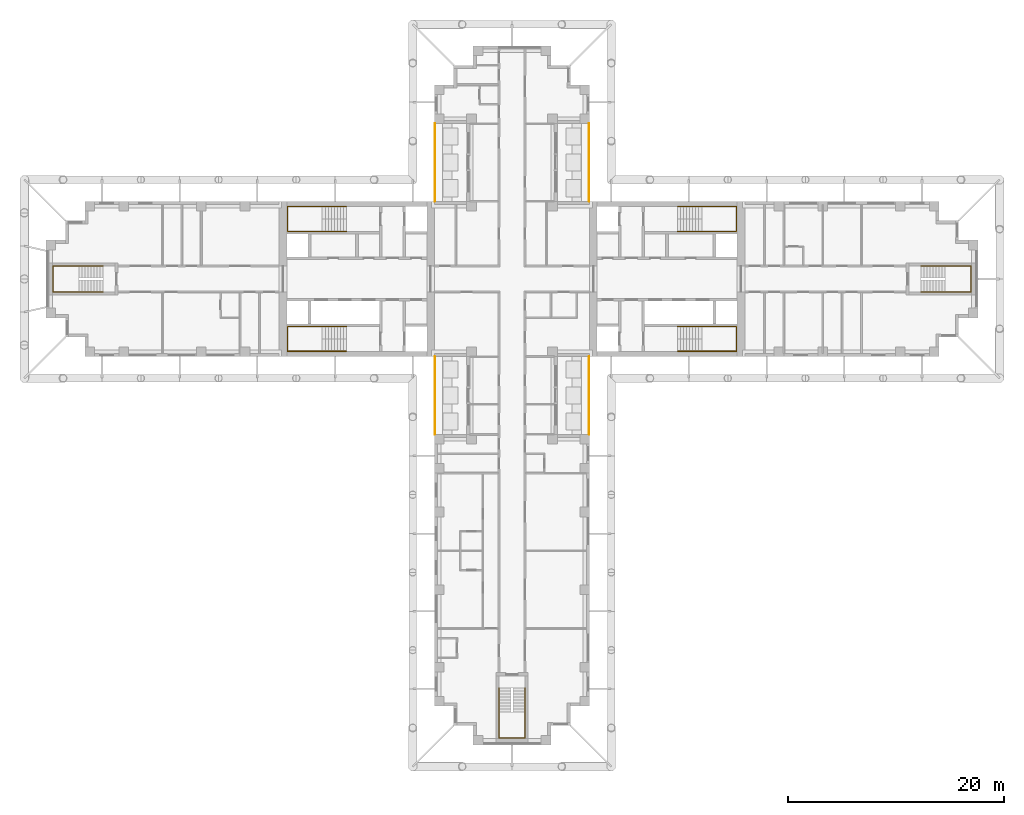
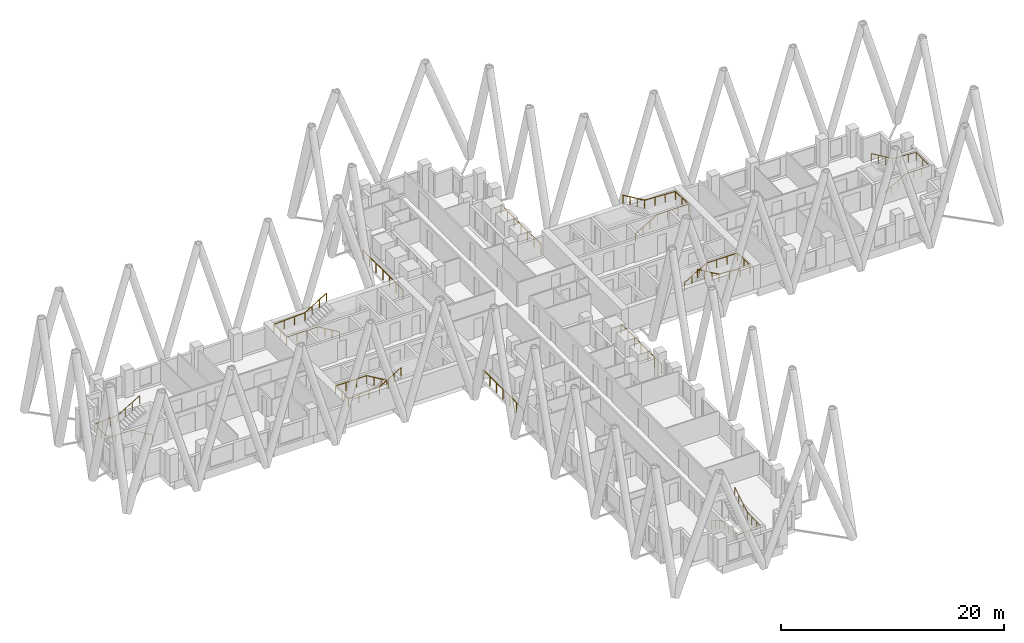
# One storey, part 13 of 14: 11 railings.
"""IFC4 building model written with IfcOpenShell, lengths in metres."""

from ifc_helpers import new_model, si_unit, direction, frame, origin, origin_2d, place, context, subcontext, project, spatial, circle, extrude, material, type_object, element, save


model = new_model("IFC4")

# Units and contexts
model_context = context("Model", 3, precision=1e-05, world=origin(), true_north=direction((0.0, 1.0)))
body_context = subcontext(model_context, "Body", "Model", "MODEL_VIEW")
ifc_project = project(units=[si_unit("LENGTHUNIT", "METRE"), si_unit("AREAUNIT", "SQUARE_METRE"), si_unit("VOLUMEUNIT", "CUBIC_METRE"), si_unit("PLANEANGLEUNIT", "RADIAN"), si_unit("MASSUNIT", "GRAM", prefix="KILO")], contexts=[model_context])

# Site, building, storey
site_placement = place(None, origin())
site = spatial("IfcSite", under=ifc_project, at=site_placement, CompositionType="ELEMENT")
building_placement = place(site_placement, origin())
building = spatial("IfcBuilding", under=site, at=building_placement, Name="Fustian Cross Tower", CompositionType="ELEMENT")
storey_placement = place(building_placement, frame((0.0, 0.0, 78.89990234375)))
storey = spatial("IfcBuildingStorey", under=building, at=storey_placement, Name="L24", CompositionType="ELEMENT", Elevation=78.89990234375)

# Railings
ifc_material_1 = material(Name="Stainless steel and glass", Category="steel")
railing_type_1 = type_object("IfcRailingType", Name="GR1 BALCONY GUARD 1100", PredefinedType="GUARDRAIL", material=ifc_material_1)
for number, where, name in (
    (1, (7.14990234375, 7.199951171875, 0.0), "Balcony guard"),
    (2, (-7.14990234375, 7.199951171875, 0.0), "Balcony guard"),
    (3, (7.14990234375, -14.39990234375, 0.0), "Balcony guard"),
    (4, (-7.14990234375, -14.39990234375, 0.0), "Balcony guard"),
):
    element("IfcRailing", number, at=place(storey_placement, frame(where)), inside=storey, type_object=railing_type_1, Name=name, PredefinedType="GUARDRAIL", context=body_context, shape_type="SweptSolid", body=[
        extrude(circle(Radius=0.02392578125, at=origin_2d()), frame((0.0, 0.0, 1.076171875), z_axis=(0.0, 1.0, 0.0), x_axis=(-1.0, 0.0, 0.0)), (0.0, 0.0, 1.0), 7.199951171875),
        extrude(circle(Radius=0.02099609375, at=origin_2d()), origin(), (0.0, 0.0, 1.0), 1.052001953125),
        extrude(circle(Radius=0.02099609375, at=origin_2d()), frame((0.0, 1.199951171875, 0.0)), (0.0, 0.0, 1.0), 1.052001953125),
        extrude(circle(Radius=0.02099609375, at=origin_2d()), frame((0.0, 2.39990234375, 0.0)), (0.0, 0.0, 1.0), 1.052001953125),
        extrude(circle(Radius=0.02099609375, at=origin_2d()), frame((0.0, 3.60009765625, 0.0)), (0.0, 0.0, 1.0), 1.052001953125),
        extrude(circle(Radius=0.02099609375, at=origin_2d()), frame((0.0, 4.800048828125, 0.0)), (0.0, 0.0, 1.0), 1.052001953125),
        extrude(circle(Radius=0.02099609375, at=origin_2d()), frame((0.0, 6.0, 0.0)), (0.0, 0.0, 1.0), 1.052001953125),
        extrude(circle(Radius=0.02099609375, at=origin_2d()), frame((0.0, 7.199951171875, 0.0)), (0.0, 0.0, 1.0), 1.052001953125),
    ])
ifc_material_2 = material(Name="Stainless steel", Category="steel")
railing_type_2 = type_object("IfcRailingType", Name="STAIR HANDRAIL", PredefinedType="HANDRAIL", material=ifc_material_2)
railing_1_placement = place(storey_placement, frame((15.35009765625, 4.39990234375, 0.166748046875)))
element("IfcRailing", 5, at=railing_1_placement, inside=storey, type_object=railing_type_2, Name="Stair ST1 handrail 1", PredefinedType="HANDRAIL", context=body_context, shape_type="SweptSolid", body=[
    extrude(circle(Radius=0.02490234375, at=origin_2d()), frame((0.0, 0.0, 0.875), z_axis=(0.859305625298, 0.0, 0.511462454469), x_axis=(0.0, 1.0, 0.0)), (0.0, 0.0, 1.0), 2.606689453125),
    extrude(circle(Radius=0.02490234375, at=origin_2d()), frame((2.239990234375, 0.0, 2.2080078125), z_axis=(1.0, 0.0, 0.0), x_axis=(0.0, 1.0, 0.0)), (0.0, 0.0, 1.0), 3.219970703125),
    extrude(circle(Radius=0.02490234375, at=origin_2d()), frame((5.4599609375, 0.0, 2.2080078125), z_axis=(0.0, 1.0, 0.0), x_axis=(-1.0, 0.0, 0.0)), (0.0, 0.0, 1.0), 2.300048828125),
    extrude(circle(Radius=0.02490234375, at=origin_2d()), frame((5.4599609375, 2.300048828125, 2.2080078125), z_axis=(-0.998661817807, 0.0, 0.051716280352), x_axis=(0.0, -1.0, 0.0)), (0.0, 0.0, 1.0), 3.224365234375),
    extrude(circle(Radius=0.02490234375, at=origin_2d()), frame((2.239990234375, 2.300048828125, 2.375), z_axis=(-0.859305625298, 0.0, 0.511462454469), x_axis=(0.0, -1.0, 0.0)), (0.0, 0.0, 1.0), 2.606689453125),
    extrude(circle(Radius=0.02001953125, at=origin_2d()), origin(), (0.0, 0.0, 1.0), 0.849853515625),
    extrude(circle(Radius=0.02001953125, at=origin_2d()), frame((0.74658203125, 0.0, 0.4443359375)), (0.0, 0.0, 1.0), 0.849853515625),
    extrude(circle(Radius=0.02001953125, at=origin_2d()), frame((1.493408203125, 0.0, 0.888916015625)), (0.0, 0.0, 1.0), 0.849853515625),
    extrude(circle(Radius=0.02001953125, at=origin_2d()), frame((2.239990234375, 0.0, 1.333251953125)), (0.0, 0.0, 1.0), 0.849853515625),
    extrude(circle(Radius=0.02001953125, at=origin_2d()), frame((3.313232421875, 0.0, 1.333251953125)), (0.0, 0.0, 1.0), 0.849853515625),
    extrude(circle(Radius=0.02001953125, at=origin_2d()), frame((4.38671875, 0.0, 1.333251953125)), (0.0, 0.0, 1.0), 0.849853515625),
    extrude(circle(Radius=0.02001953125, at=origin_2d()), frame((5.4599609375, 0.0, 1.333251953125)), (0.0, 0.0, 1.0), 0.849853515625),
    extrude(circle(Radius=0.02001953125, at=origin_2d()), frame((5.4599609375, 1.14990234375, 1.333251953125)), (0.0, 0.0, 1.0), 0.849853515625),
    extrude(circle(Radius=0.02001953125, at=origin_2d()), frame((5.4599609375, 2.300048828125, 1.333251953125)), (0.0, 0.0, 1.0), 0.849853515625),
    extrude(circle(Radius=0.02001953125, at=origin_2d()), frame((4.38671875, 2.300048828125, 1.388916015625)), (0.0, 0.0, 1.0), 0.849853515625),
    extrude(circle(Radius=0.02001953125, at=origin_2d()), frame((3.313232421875, 2.300048828125, 1.4443359375)), (0.0, 0.0, 1.0), 0.849853515625),
    extrude(circle(Radius=0.02001953125, at=origin_2d()), frame((2.239990234375, 2.300048828125, 1.5)), (0.0, 0.0, 1.0), 0.849853515625),
    extrude(circle(Radius=0.02001953125, at=origin_2d()), frame((1.493408203125, 2.300048828125, 1.9443359375)), (0.0, 0.0, 1.0), 0.849853515625),
    extrude(circle(Radius=0.02001953125, at=origin_2d()), frame((0.74658203125, 2.300048828125, 2.388916015625)), (0.0, 0.0, 1.0), 0.849853515625),
    extrude(circle(Radius=0.02001953125, at=origin_2d()), frame((0.0, 2.300048828125, 2.833251953125)), (0.0, 0.0, 1.0), 0.849853515625),
])
railing_2_placement = place(storey_placement, frame((15.35009765625, -4.39990234375, 0.166748046875)))
element("IfcRailing", 6, at=railing_2_placement, inside=storey, type_object=railing_type_2, Name="Stair ST2 handrail 1", PredefinedType="HANDRAIL", context=body_context, shape_type="SweptSolid", body=[
    extrude(circle(Radius=0.02490234375, at=origin_2d()), frame((0.0, 0.0, 0.875), z_axis=(0.859305625298, 0.0, 0.511462454469), x_axis=(0.0, 1.0, 0.0)), (0.0, 0.0, 1.0), 2.606689453125),
    extrude(circle(Radius=0.02490234375, at=origin_2d()), frame((2.239990234375, 0.0, 2.2080078125), z_axis=(1.0, 0.0, 0.0), x_axis=(0.0, 1.0, 0.0)), (0.0, 0.0, 1.0), 3.219970703125),
    extrude(circle(Radius=0.02490234375, at=origin_2d()), frame((5.4599609375, 0.0, 2.2080078125), z_axis=(0.0, -1.0, 0.0), x_axis=(1.0, 0.0, 0.0)), (0.0, 0.0, 1.0), 2.300048828125),
    extrude(circle(Radius=0.02490234375, at=origin_2d()), frame((5.4599609375, -2.300048828125, 2.2080078125), z_axis=(-0.998661817807, 0.0, 0.051716280352), x_axis=(0.0, -1.0, 0.0)), (0.0, 0.0, 1.0), 3.224365234375),
    extrude(circle(Radius=0.02490234375, at=origin_2d()), frame((2.239990234375, -2.300048828125, 2.375), z_axis=(-0.859305625298, 0.0, 0.511462454469), x_axis=(0.0, -1.0, 0.0)), (0.0, 0.0, 1.0), 2.606689453125),
    extrude(circle(Radius=0.02001953125, at=origin_2d()), origin(), (0.0, 0.0, 1.0), 0.849853515625),
    extrude(circle(Radius=0.02001953125, at=origin_2d()), frame((0.74658203125, 0.0, 0.4443359375)), (0.0, 0.0, 1.0), 0.849853515625),
    extrude(circle(Radius=0.02001953125, at=origin_2d()), frame((1.493408203125, 0.0, 0.888916015625)), (0.0, 0.0, 1.0), 0.849853515625),
    extrude(circle(Radius=0.02001953125, at=origin_2d()), frame((2.239990234375, 0.0, 1.333251953125)), (0.0, 0.0, 1.0), 0.849853515625),
    extrude(circle(Radius=0.02001953125, at=origin_2d()), frame((3.313232421875, 0.0, 1.333251953125)), (0.0, 0.0, 1.0), 0.849853515625),
    extrude(circle(Radius=0.02001953125, at=origin_2d()), frame((4.38671875, 0.0, 1.333251953125)), (0.0, 0.0, 1.0), 0.849853515625),
    extrude(circle(Radius=0.02001953125, at=origin_2d()), frame((5.4599609375, 0.0, 1.333251953125)), (0.0, 0.0, 1.0), 0.849853515625),
    extrude(circle(Radius=0.02001953125, at=origin_2d()), frame((5.4599609375, -1.14990234375, 1.333251953125)), (0.0, 0.0, 1.0), 0.849853515625),
    extrude(circle(Radius=0.02001953125, at=origin_2d()), frame((5.4599609375, -2.300048828125, 1.333251953125)), (0.0, 0.0, 1.0), 0.849853515625),
    extrude(circle(Radius=0.02001953125, at=origin_2d()), frame((4.38671875, -2.300048828125, 1.388916015625)), (0.0, 0.0, 1.0), 0.849853515625),
    extrude(circle(Radius=0.02001953125, at=origin_2d()), frame((3.313232421875, -2.300048828125, 1.4443359375)), (0.0, 0.0, 1.0), 0.849853515625),
    extrude(circle(Radius=0.02001953125, at=origin_2d()), frame((2.239990234375, -2.300048828125, 1.5)), (0.0, 0.0, 1.0), 0.849853515625),
    extrude(circle(Radius=0.02001953125, at=origin_2d()), frame((1.493408203125, -2.300048828125, 1.9443359375)), (0.0, 0.0, 1.0), 0.849853515625),
    extrude(circle(Radius=0.02001953125, at=origin_2d()), frame((0.74658203125, -2.300048828125, 2.388916015625)), (0.0, 0.0, 1.0), 0.849853515625),
    extrude(circle(Radius=0.02001953125, at=origin_2d()), frame((0.0, -2.300048828125, 2.833251953125)), (0.0, 0.0, 1.0), 0.849853515625),
])
railing_3_placement = place(storey_placement, frame((-15.35009765625, 4.39990234375, 0.166748046875)))
element("IfcRailing", 7, at=railing_3_placement, inside=storey, type_object=railing_type_2, Name="Stair ST3 handrail 1", PredefinedType="HANDRAIL", context=body_context, shape_type="SweptSolid", body=[
    extrude(circle(Radius=0.02490234375, at=origin_2d()), frame((0.0, 0.0, 0.875), z_axis=(-0.859305625298, 0.0, 0.511462454469), x_axis=(0.0, -1.0, 0.0)), (0.0, 0.0, 1.0), 2.606689453125),
    extrude(circle(Radius=0.02490234375, at=origin_2d()), frame((-2.239990234375, 0.0, 2.2080078125), z_axis=(-1.0, 0.0, 0.0), x_axis=(0.0, -1.0, 0.0)), (0.0, 0.0, 1.0), 3.219970703125),
    extrude(circle(Radius=0.02490234375, at=origin_2d()), frame((-5.4599609375, 0.0, 2.2080078125), z_axis=(0.0, 1.0, 0.0), x_axis=(-1.0, 0.0, 0.0)), (0.0, 0.0, 1.0), 2.300048828125),
    extrude(circle(Radius=0.02490234375, at=origin_2d()), frame((-5.4599609375, 2.300048828125, 2.2080078125), z_axis=(0.998661817807, 0.0, 0.051716280352), x_axis=(0.0, 1.0, 0.0)), (0.0, 0.0, 1.0), 3.224365234375),
    extrude(circle(Radius=0.02490234375, at=origin_2d()), frame((-2.239990234375, 2.300048828125, 2.375), z_axis=(0.859305625298, 0.0, 0.511462454469), x_axis=(0.0, 1.0, 0.0)), (0.0, 0.0, 1.0), 2.606689453125),
    extrude(circle(Radius=0.02001953125, at=origin_2d()), origin(), (0.0, 0.0, 1.0), 0.849853515625),
    extrude(circle(Radius=0.02001953125, at=origin_2d()), frame((-0.74658203125, 0.0, 0.4443359375)), (0.0, 0.0, 1.0), 0.849853515625),
    extrude(circle(Radius=0.02001953125, at=origin_2d()), frame((-1.493408203125, 0.0, 0.888916015625)), (0.0, 0.0, 1.0), 0.849853515625),
    extrude(circle(Radius=0.02001953125, at=origin_2d()), frame((-2.239990234375, 0.0, 1.333251953125)), (0.0, 0.0, 1.0), 0.849853515625),
    extrude(circle(Radius=0.02001953125, at=origin_2d()), frame((-3.313232421875, 0.0, 1.333251953125)), (0.0, 0.0, 1.0), 0.849853515625),
    extrude(circle(Radius=0.02001953125, at=origin_2d()), frame((-4.38671875, 0.0, 1.333251953125)), (0.0, 0.0, 1.0), 0.849853515625),
    extrude(circle(Radius=0.02001953125, at=origin_2d()), frame((-5.4599609375, 0.0, 1.333251953125)), (0.0, 0.0, 1.0), 0.849853515625),
    extrude(circle(Radius=0.02001953125, at=origin_2d()), frame((-5.4599609375, 1.14990234375, 1.333251953125)), (0.0, 0.0, 1.0), 0.849853515625),
    extrude(circle(Radius=0.02001953125, at=origin_2d()), frame((-5.4599609375, 2.300048828125, 1.333251953125)), (0.0, 0.0, 1.0), 0.849853515625),
    extrude(circle(Radius=0.02001953125, at=origin_2d()), frame((-4.38671875, 2.300048828125, 1.388916015625)), (0.0, 0.0, 1.0), 0.849853515625),
    extrude(circle(Radius=0.02001953125, at=origin_2d()), frame((-3.313232421875, 2.300048828125, 1.4443359375)), (0.0, 0.0, 1.0), 0.849853515625),
    extrude(circle(Radius=0.02001953125, at=origin_2d()), frame((-2.239990234375, 2.300048828125, 1.5)), (0.0, 0.0, 1.0), 0.849853515625),
    extrude(circle(Radius=0.02001953125, at=origin_2d()), frame((-1.493408203125, 2.300048828125, 1.9443359375)), (0.0, 0.0, 1.0), 0.849853515625),
    extrude(circle(Radius=0.02001953125, at=origin_2d()), frame((-0.74658203125, 2.300048828125, 2.388916015625)), (0.0, 0.0, 1.0), 0.849853515625),
    extrude(circle(Radius=0.02001953125, at=origin_2d()), frame((0.0, 2.300048828125, 2.833251953125)), (0.0, 0.0, 1.0), 0.849853515625),
])
railing_4_placement = place(storey_placement, frame((-15.35009765625, -4.39990234375, 0.166748046875)))
element("IfcRailing", 8, at=railing_4_placement, inside=storey, type_object=railing_type_2, Name="Stair ST4 handrail 1", PredefinedType="HANDRAIL", context=body_context, shape_type="SweptSolid", body=[
    extrude(circle(Radius=0.02490234375, at=origin_2d()), frame((0.0, 0.0, 0.875), z_axis=(-0.859305625298, 0.0, 0.511462454469), x_axis=(0.0, -1.0, 0.0)), (0.0, 0.0, 1.0), 2.606689453125),
    extrude(circle(Radius=0.02490234375, at=origin_2d()), frame((-2.239990234375, 0.0, 2.2080078125), z_axis=(-1.0, 0.0, 0.0), x_axis=(0.0, -1.0, 0.0)), (0.0, 0.0, 1.0), 3.219970703125),
    extrude(circle(Radius=0.02490234375, at=origin_2d()), frame((-5.4599609375, 0.0, 2.2080078125), z_axis=(0.0, -1.0, 0.0), x_axis=(1.0, 0.0, 0.0)), (0.0, 0.0, 1.0), 2.300048828125),
    extrude(circle(Radius=0.02490234375, at=origin_2d()), frame((-5.4599609375, -2.300048828125, 2.2080078125), z_axis=(0.998661817807, 0.0, 0.051716280352), x_axis=(0.0, 1.0, 0.0)), (0.0, 0.0, 1.0), 3.224365234375),
    extrude(circle(Radius=0.02490234375, at=origin_2d()), frame((-2.239990234375, -2.300048828125, 2.375), z_axis=(0.859305625298, 0.0, 0.511462454469), x_axis=(0.0, 1.0, 0.0)), (0.0, 0.0, 1.0), 2.606689453125),
    extrude(circle(Radius=0.02001953125, at=origin_2d()), origin(), (0.0, 0.0, 1.0), 0.849853515625),
    extrude(circle(Radius=0.02001953125, at=origin_2d()), frame((-0.74658203125, 0.0, 0.4443359375)), (0.0, 0.0, 1.0), 0.849853515625),
    extrude(circle(Radius=0.02001953125, at=origin_2d()), frame((-1.493408203125, 0.0, 0.888916015625)), (0.0, 0.0, 1.0), 0.849853515625),
    extrude(circle(Radius=0.02001953125, at=origin_2d()), frame((-2.239990234375, 0.0, 1.333251953125)), (0.0, 0.0, 1.0), 0.849853515625),
    extrude(circle(Radius=0.02001953125, at=origin_2d()), frame((-3.313232421875, 0.0, 1.333251953125)), (0.0, 0.0, 1.0), 0.849853515625),
    extrude(circle(Radius=0.02001953125, at=origin_2d()), frame((-4.38671875, 0.0, 1.333251953125)), (0.0, 0.0, 1.0), 0.849853515625),
    extrude(circle(Radius=0.02001953125, at=origin_2d()), frame((-5.4599609375, 0.0, 1.333251953125)), (0.0, 0.0, 1.0), 0.849853515625),
    extrude(circle(Radius=0.02001953125, at=origin_2d()), frame((-5.4599609375, -1.14990234375, 1.333251953125)), (0.0, 0.0, 1.0), 0.849853515625),
    extrude(circle(Radius=0.02001953125, at=origin_2d()), frame((-5.4599609375, -2.300048828125, 1.333251953125)), (0.0, 0.0, 1.0), 0.849853515625),
    extrude(circle(Radius=0.02001953125, at=origin_2d()), frame((-4.38671875, -2.300048828125, 1.388916015625)), (0.0, 0.0, 1.0), 0.849853515625),
    extrude(circle(Radius=0.02001953125, at=origin_2d()), frame((-3.313232421875, -2.300048828125, 1.4443359375)), (0.0, 0.0, 1.0), 0.849853515625),
    extrude(circle(Radius=0.02001953125, at=origin_2d()), frame((-2.239990234375, -2.300048828125, 1.5)), (0.0, 0.0, 1.0), 0.849853515625),
    extrude(circle(Radius=0.02001953125, at=origin_2d()), frame((-1.493408203125, -2.300048828125, 1.9443359375)), (0.0, 0.0, 1.0), 0.849853515625),
    extrude(circle(Radius=0.02001953125, at=origin_2d()), frame((-0.74658203125, -2.300048828125, 2.388916015625)), (0.0, 0.0, 1.0), 0.849853515625),
    extrude(circle(Radius=0.02001953125, at=origin_2d()), frame((0.0, -2.300048828125, 2.833251953125)), (0.0, 0.0, 1.0), 0.849853515625),
])
railing_5_placement = place(storey_placement, frame((-1.199951171875, -37.89990234375, 0.166748046875)))
element("IfcRailing", 9, at=railing_5_placement, inside=storey, type_object=railing_type_2, Name="Stair ST6 handrail 1", PredefinedType="HANDRAIL", context=body_context, shape_type="SweptSolid", body=[
    extrude(circle(Radius=0.02490234375, at=origin_2d()), frame((0.0, 0.0, 0.875), z_axis=(0.0, -0.859305625298, 0.511462454469), x_axis=(1.0, 0.0, 0.0)), (0.0, 0.0, 1.0), 2.606689453125),
    extrude(circle(Radius=0.02490234375, at=origin_2d()), frame((0.0, -2.239990234375, 2.2080078125), z_axis=(0.0, -1.0, 0.0), x_axis=(1.0, 0.0, 0.0)), (0.0, 0.0, 1.0), 2.420166015625),
    extrude(circle(Radius=0.02490234375, at=origin_2d()), frame((0.0, -4.66015625, 2.2080078125), z_axis=(1.0, 0.0, 0.0), x_axis=(0.0, 1.0, 0.0)), (0.0, 0.0, 1.0), 2.39990234375),
    extrude(circle(Radius=0.02490234375, at=origin_2d()), frame((2.39990234375, -4.66015625, 2.2080078125), z_axis=(0.0, 0.997634852044, 0.068736467663), x_axis=(-1.0, 0.0, 0.0)), (0.0, 0.0, 1.0), 2.426025390625),
    extrude(circle(Radius=0.02490234375, at=origin_2d()), frame((2.39990234375, -2.239990234375, 2.375), z_axis=(0.0, 0.859305625298, 0.511462454469), x_axis=(-1.0, 0.0, 0.0)), (0.0, 0.0, 1.0), 2.606689453125),
    extrude(circle(Radius=0.02001953125, at=origin_2d()), origin(), (0.0, 0.0, 1.0), 0.849853515625),
    extrude(circle(Radius=0.02001953125, at=origin_2d()), frame((0.0, -0.74658203125, 0.4443359375)), (0.0, 0.0, 1.0), 0.849853515625),
    extrude(circle(Radius=0.02001953125, at=origin_2d()), frame((0.0, -1.493408203125, 0.888916015625)), (0.0, 0.0, 1.0), 0.849853515625),
    extrude(circle(Radius=0.02001953125, at=origin_2d()), frame((0.0, -2.239990234375, 1.333251953125)), (0.0, 0.0, 1.0), 0.849853515625),
    extrude(circle(Radius=0.02001953125, at=origin_2d()), frame((0.0, -3.046630859375, 1.333251953125)), (0.0, 0.0, 1.0), 0.849853515625),
    extrude(circle(Radius=0.02001953125, at=origin_2d()), frame((0.0, -3.853515625, 1.333251953125)), (0.0, 0.0, 1.0), 0.849853515625),
    extrude(circle(Radius=0.02001953125, at=origin_2d()), frame((0.0, -4.66015625, 1.333251953125)), (0.0, 0.0, 1.0), 0.849853515625),
    extrude(circle(Radius=0.02001953125, at=origin_2d()), frame((1.199951171875, -4.66015625, 1.333251953125)), (0.0, 0.0, 1.0), 0.849853515625),
    extrude(circle(Radius=0.02001953125, at=origin_2d()), frame((2.39990234375, -4.66015625, 1.333251953125)), (0.0, 0.0, 1.0), 0.849853515625),
    extrude(circle(Radius=0.02001953125, at=origin_2d()), frame((2.39990234375, -3.853515625, 1.388916015625)), (0.0, 0.0, 1.0), 0.849853515625),
    extrude(circle(Radius=0.02001953125, at=origin_2d()), frame((2.39990234375, -3.046630859375, 1.4443359375)), (0.0, 0.0, 1.0), 0.849853515625),
    extrude(circle(Radius=0.02001953125, at=origin_2d()), frame((2.39990234375, -2.239990234375, 1.5)), (0.0, 0.0, 1.0), 0.849853515625),
    extrude(circle(Radius=0.02001953125, at=origin_2d()), frame((2.39990234375, -1.493408203125, 1.9443359375)), (0.0, 0.0, 1.0), 0.849853515625),
    extrude(circle(Radius=0.02001953125, at=origin_2d()), frame((2.39990234375, -0.74658203125, 2.388916015625)), (0.0, 0.0, 1.0), 0.849853515625),
    extrude(circle(Radius=0.02001953125, at=origin_2d()), frame((2.39990234375, 0.0, 2.833251953125)), (0.0, 0.0, 1.0), 0.849853515625),
])
railing_6_placement = place(storey_placement, frame((37.89990234375, -1.199951171875, 0.166748046875)))
element("IfcRailing", 10, at=railing_6_placement, inside=storey, type_object=railing_type_2, Name="Stair ST8 handrail 1", PredefinedType="HANDRAIL", context=body_context, shape_type="SweptSolid", body=[
    extrude(circle(Radius=0.02490234375, at=origin_2d()), frame((0.0, 0.0, 0.875), z_axis=(0.859305625298, 0.0, 0.511462454469), x_axis=(0.0, 1.0, 0.0)), (0.0, 0.0, 1.0), 2.606689453125),
    extrude(circle(Radius=0.02490234375, at=origin_2d()), frame((2.239990234375, 0.0, 2.2080078125), z_axis=(1.0, 0.0, 0.0), x_axis=(0.0, 1.0, 0.0)), (0.0, 0.0, 1.0), 2.420166015625),
    extrude(circle(Radius=0.02490234375, at=origin_2d()), frame((4.66015625, 0.0, 2.2080078125), z_axis=(0.0, 1.0, 0.0), x_axis=(-1.0, 0.0, 0.0)), (0.0, 0.0, 1.0), 2.39990234375),
    extrude(circle(Radius=0.02490234375, at=origin_2d()), frame((4.66015625, 2.39990234375, 2.2080078125), z_axis=(-0.997634852044, 0.0, 0.068736467663), x_axis=(0.0, -1.0, 0.0)), (0.0, 0.0, 1.0), 2.426025390625),
    extrude(circle(Radius=0.02490234375, at=origin_2d()), frame((2.239990234375, 2.39990234375, 2.375), z_axis=(-0.859305625298, 0.0, 0.511462454469), x_axis=(0.0, -1.0, 0.0)), (0.0, 0.0, 1.0), 2.606689453125),
    extrude(circle(Radius=0.02001953125, at=origin_2d()), origin(), (0.0, 0.0, 1.0), 0.849853515625),
    extrude(circle(Radius=0.02001953125, at=origin_2d()), frame((0.74658203125, 0.0, 0.4443359375)), (0.0, 0.0, 1.0), 0.849853515625),
    extrude(circle(Radius=0.02001953125, at=origin_2d()), frame((1.493408203125, 0.0, 0.888916015625)), (0.0, 0.0, 1.0), 0.849853515625),
    extrude(circle(Radius=0.02001953125, at=origin_2d()), frame((2.239990234375, 0.0, 1.333251953125)), (0.0, 0.0, 1.0), 0.849853515625),
    extrude(circle(Radius=0.02001953125, at=origin_2d()), frame((3.046630859375, 0.0, 1.333251953125)), (0.0, 0.0, 1.0), 0.849853515625),
    extrude(circle(Radius=0.02001953125, at=origin_2d()), frame((3.853515625, 0.0, 1.333251953125)), (0.0, 0.0, 1.0), 0.849853515625),
    extrude(circle(Radius=0.02001953125, at=origin_2d()), frame((4.66015625, 0.0, 1.333251953125)), (0.0, 0.0, 1.0), 0.849853515625),
    extrude(circle(Radius=0.02001953125, at=origin_2d()), frame((4.66015625, 1.199951171875, 1.333251953125)), (0.0, 0.0, 1.0), 0.849853515625),
    extrude(circle(Radius=0.02001953125, at=origin_2d()), frame((4.66015625, 2.39990234375, 1.333251953125)), (0.0, 0.0, 1.0), 0.849853515625),
    extrude(circle(Radius=0.02001953125, at=origin_2d()), frame((3.853515625, 2.39990234375, 1.388916015625)), (0.0, 0.0, 1.0), 0.849853515625),
    extrude(circle(Radius=0.02001953125, at=origin_2d()), frame((3.046630859375, 2.39990234375, 1.4443359375)), (0.0, 0.0, 1.0), 0.849853515625),
    extrude(circle(Radius=0.02001953125, at=origin_2d()), frame((2.239990234375, 2.39990234375, 1.5)), (0.0, 0.0, 1.0), 0.849853515625),
    extrude(circle(Radius=0.02001953125, at=origin_2d()), frame((1.493408203125, 2.39990234375, 1.9443359375)), (0.0, 0.0, 1.0), 0.849853515625),
    extrude(circle(Radius=0.02001953125, at=origin_2d()), frame((0.74658203125, 2.39990234375, 2.388916015625)), (0.0, 0.0, 1.0), 0.849853515625),
    extrude(circle(Radius=0.02001953125, at=origin_2d()), frame((0.0, 2.39990234375, 2.833251953125)), (0.0, 0.0, 1.0), 0.849853515625),
])
railing_7_placement = place(storey_placement, frame((-37.89990234375, -1.199951171875, 0.166748046875)))
element("IfcRailing", 11, at=railing_7_placement, inside=storey, type_object=railing_type_2, Name="Stair ST9 handrail 1", PredefinedType="HANDRAIL", context=body_context, shape_type="SweptSolid", body=[
    extrude(circle(Radius=0.02490234375, at=origin_2d()), frame((0.0, 0.0, 0.875), z_axis=(-0.859305625298, 0.0, 0.511462454469), x_axis=(0.0, -1.0, 0.0)), (0.0, 0.0, 1.0), 2.606689453125),
    extrude(circle(Radius=0.02490234375, at=origin_2d()), frame((-2.239990234375, 0.0, 2.2080078125), z_axis=(-1.0, 0.0, 0.0), x_axis=(0.0, -1.0, 0.0)), (0.0, 0.0, 1.0), 2.420166015625),
    extrude(circle(Radius=0.02490234375, at=origin_2d()), frame((-4.66015625, 0.0, 2.2080078125), z_axis=(0.0, 1.0, 0.0), x_axis=(-1.0, 0.0, 0.0)), (0.0, 0.0, 1.0), 2.39990234375),
    extrude(circle(Radius=0.02490234375, at=origin_2d()), frame((-4.66015625, 2.39990234375, 2.2080078125), z_axis=(0.997634852044, 0.0, 0.068736467663), x_axis=(0.0, 1.0, 0.0)), (0.0, 0.0, 1.0), 2.426025390625),
    extrude(circle(Radius=0.02490234375, at=origin_2d()), frame((-2.239990234375, 2.39990234375, 2.375), z_axis=(0.859305625298, 0.0, 0.511462454469), x_axis=(0.0, 1.0, 0.0)), (0.0, 0.0, 1.0), 2.606689453125),
    extrude(circle(Radius=0.02001953125, at=origin_2d()), origin(), (0.0, 0.0, 1.0), 0.849853515625),
    extrude(circle(Radius=0.02001953125, at=origin_2d()), frame((-0.74658203125, 0.0, 0.4443359375)), (0.0, 0.0, 1.0), 0.849853515625),
    extrude(circle(Radius=0.02001953125, at=origin_2d()), frame((-1.493408203125, 0.0, 0.888916015625)), (0.0, 0.0, 1.0), 0.849853515625),
    extrude(circle(Radius=0.02001953125, at=origin_2d()), frame((-2.239990234375, 0.0, 1.333251953125)), (0.0, 0.0, 1.0), 0.849853515625),
    extrude(circle(Radius=0.02001953125, at=origin_2d()), frame((-3.046630859375, 0.0, 1.333251953125)), (0.0, 0.0, 1.0), 0.849853515625),
    extrude(circle(Radius=0.02001953125, at=origin_2d()), frame((-3.853515625, 0.0, 1.333251953125)), (0.0, 0.0, 1.0), 0.849853515625),
    extrude(circle(Radius=0.02001953125, at=origin_2d()), frame((-4.66015625, 0.0, 1.333251953125)), (0.0, 0.0, 1.0), 0.849853515625),
    extrude(circle(Radius=0.02001953125, at=origin_2d()), frame((-4.66015625, 1.199951171875, 1.333251953125)), (0.0, 0.0, 1.0), 0.849853515625),
    extrude(circle(Radius=0.02001953125, at=origin_2d()), frame((-4.66015625, 2.39990234375, 1.333251953125)), (0.0, 0.0, 1.0), 0.849853515625),
    extrude(circle(Radius=0.02001953125, at=origin_2d()), frame((-3.853515625, 2.39990234375, 1.388916015625)), (0.0, 0.0, 1.0), 0.849853515625),
    extrude(circle(Radius=0.02001953125, at=origin_2d()), frame((-3.046630859375, 2.39990234375, 1.4443359375)), (0.0, 0.0, 1.0), 0.849853515625),
    extrude(circle(Radius=0.02001953125, at=origin_2d()), frame((-2.239990234375, 2.39990234375, 1.5)), (0.0, 0.0, 1.0), 0.849853515625),
    extrude(circle(Radius=0.02001953125, at=origin_2d()), frame((-1.493408203125, 2.39990234375, 1.9443359375)), (0.0, 0.0, 1.0), 0.849853515625),
    extrude(circle(Radius=0.02001953125, at=origin_2d()), frame((-0.74658203125, 2.39990234375, 2.388916015625)), (0.0, 0.0, 1.0), 0.849853515625),
    extrude(circle(Radius=0.02001953125, at=origin_2d()), frame((0.0, 2.39990234375, 2.833251953125)), (0.0, 0.0, 1.0), 0.849853515625),
])

save(model, "model.ifc")
